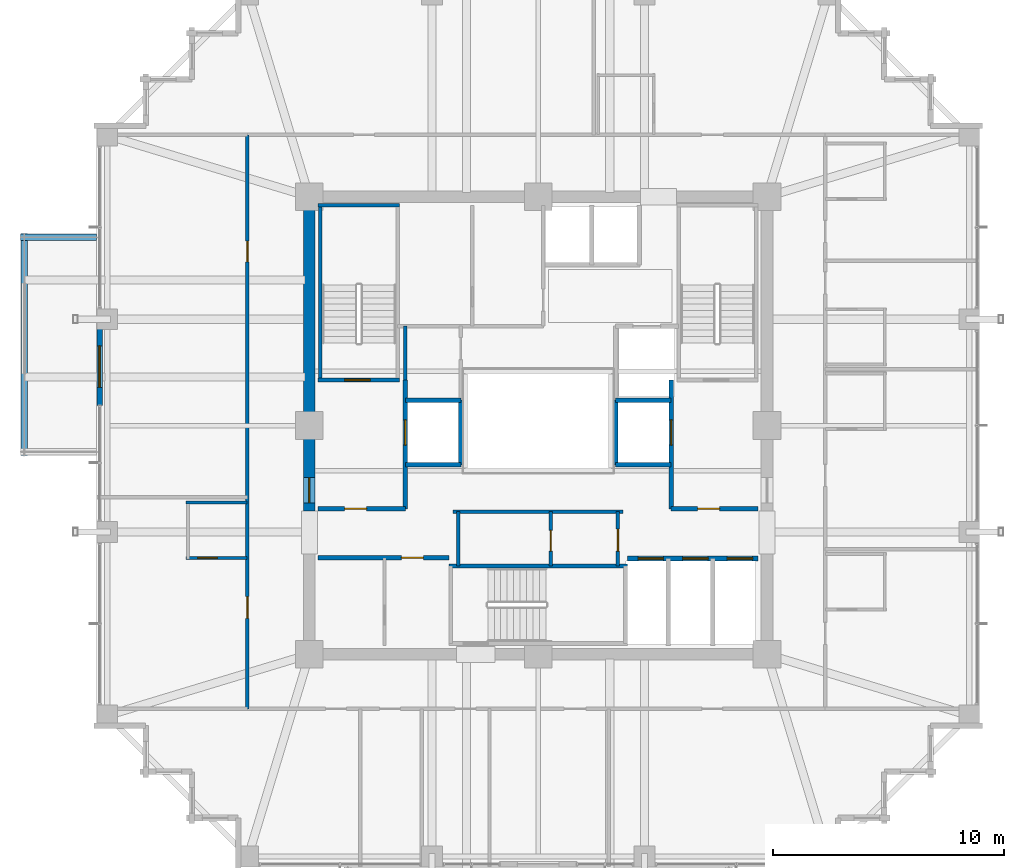
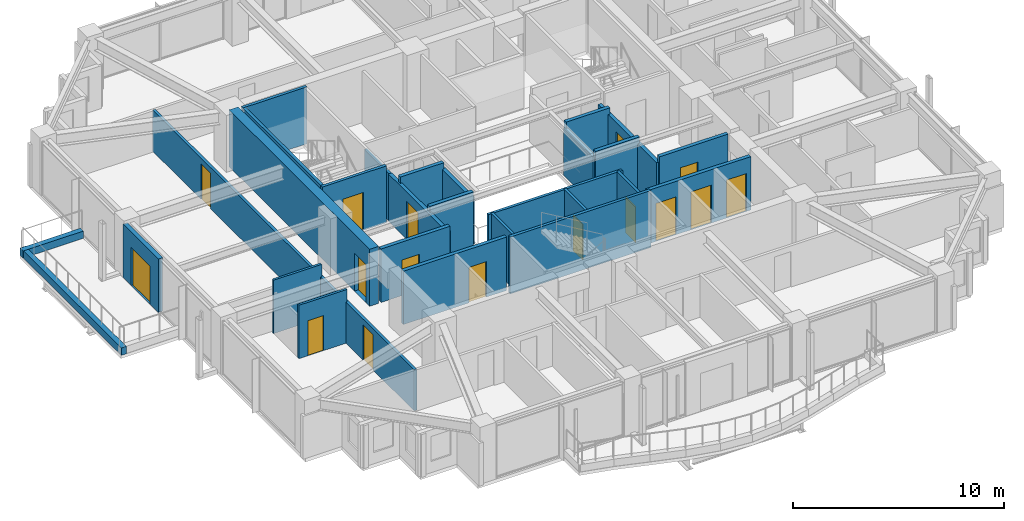
# One storey, part 28 of 34: 28 walls, 16 doors, 16 openings.
"""IFC4 building model written with IfcOpenShell, lengths in metres."""

from ifc_helpers import new_model, si_unit, direction, frame, frame_2d, origin, place, context, subcontext, project, spatial, rectangle, extrude, material, layer, layer_set, type_object, element, fill, save


model = new_model("IFC4")

# Units and contexts
model_context = context("Model", 3, precision=1e-05, world=origin(), true_north=direction((0.0, 1.0)))
body_context = subcontext(model_context, "Body", "Model", "MODEL_VIEW")
ifc_project = project(units=[si_unit("LENGTHUNIT", "METRE"), si_unit("AREAUNIT", "SQUARE_METRE"), si_unit("VOLUMEUNIT", "CUBIC_METRE"), si_unit("PLANEANGLEUNIT", "RADIAN"), si_unit("MASSUNIT", "GRAM", prefix="KILO")], contexts=[model_context])

# Site, building, storey
site_placement = place(None, origin())
site = spatial("IfcSite", under=ifc_project, at=site_placement, CompositionType="ELEMENT")
building_placement = place(site_placement, origin())
building = spatial("IfcBuilding", under=site, at=building_placement, Name="Kolvaren Belvedere", CompositionType="ELEMENT")
storey_placement = place(building_placement, frame((0.0, 0.0, 166.800048828125)))
storey = spatial("IfcBuildingStorey", under=building, at=storey_placement, Name="L48", CompositionType="ELEMENT", Elevation=166.800048828125)

# Wall, opening, door
ifc_material_1 = material(Name="Concrete C50/60", Category="concrete")
ifc_layer_1 = layer(ifc_material_1, 0.5)
ifc_layer_set_1 = layer_set([ifc_layer_1], Name="Concrete C50/60")
wall_type_1 = type_object("IfcWallType", Name="CW-CORE-500", PredefinedType="SHEAR", material=ifc_layer_set_1)
wall_1_placement = place(storey_placement, frame((-9.89990234375, -3.699951171875, 0.0), z_axis=(0.0, 0.0, 1.0), x_axis=(0.0, 1.0, 0.0)))
wall_1 = element("IfcWall", 1, at=wall_1_placement, inside=storey, type_object=wall_type_1, Name="L48 West Core Shear Wall 2", PredefinedType="SHEAR", context=body_context, shape_type="SweptSolid", body=[
    extrude(rectangle(XDim=13.349853515625, YDim=0.5, at=frame_2d((6.6748046875, 0.0))), origin(), (0.0, 0.0, 1.0), 3.300048828125),
])
opening_1_placement = place(wall_1_placement, frame((0.35009765625, 0.0, 0.0)))
opening_1 = element("IfcOpeningElement", 2, at=opening_1_placement, cuts=wall_1, Name="Opening D-FD90", PredefinedType="OPENING", context=body_context, shape_type="SweptSolid", body=[
    extrude(rectangle(XDim=1.10009765625, YDim=2.199951171875, at=frame_2d((0.550048828125, 1.10009765625))), frame((0.0, 0.260009765625, 0.0), z_axis=(0.0, -1.0, 0.0), x_axis=(1.0, 0.0, 0.0)), (0.0, 0.0, 1.0), 0.52001953125),
])
ifc_material_2 = material(Name="Painted hollow stainless steel", Category="steel")
door_type_1 = type_object("IfcDoorType", Name="DR-FD90-1100", OperationType="NOTDEFINED", PredefinedType="DOOR", material=ifc_material_2)
door_1_placement = place(opening_1_placement, origin())
door_1 = element("IfcDoor", 3, at=door_1_placement, inside=storey, type_object=door_type_1, Name="L48 West Firefighting Lobby Fire Door", OperationType="SINGLE_SWING_LEFT", OverallHeight=2.199951171875, OverallWidth=1.10009765625, PredefinedType="DOOR", context=body_context, shape_type="SweptSolid", body=[
    extrude(rectangle(XDim=1.10009765625, YDim=2.199951171875, at=frame_2d((0.550048828125, 1.10009765625))), frame((0.0, 0.02490234375, 0.0), z_axis=(0.0, -1.0, 0.0), x_axis=(1.0, 0.0, 0.0)), (0.0, 0.0, 1.0), 0.050048828125),
])
fill(opening_1, door_1)

ifc_material_3 = material(Name="Concrete C50/60", Category="concrete")
ifc_layer_2 = layer(ifc_material_3, 0.159912109375)
ifc_layer_set_2 = layer_set([ifc_layer_2], Name="Concrete C50/60")
wall_type_2 = type_object("IfcWallType", Name="CW-STAIR-160", PredefinedType="SHEAR", material=ifc_layer_set_2)
wall_2_placement = place(storey_placement, frame((-9.52001953125, 1.969970703125, 0.0), z_axis=(0.0, 0.0, 1.0), x_axis=(1.0, 0.0, 0.0)))
wall_2 = element("IfcWall", 4, at=wall_2_placement, inside=storey, type_object=wall_type_2, Name="L48 Stair ST-1 South Shear Wall", PredefinedType="SHEAR", context=body_context, shape_type="SweptSolid", body=[
    extrude(rectangle(XDim=3.52001953125, YDim=0.159912109375, at=frame_2d((1.760009765625, 0.0))), origin(), (0.0, 0.0, 1.0), 3.300048828125),
])
opening_2_placement = place(wall_2_placement, frame((1.14990234375, 0.0, 0.0)))
opening_2 = element("IfcOpeningElement", 5, at=opening_2_placement, cuts=wall_2, Name="Opening D-FD90", PredefinedType="OPENING", context=body_context, shape_type="SweptSolid", body=[
    extrude(rectangle(XDim=1.10009765625, YDim=2.199951171875, at=frame_2d((0.550048828125, 1.10009765625))), frame((0.0, 0.08984375, 0.0), z_axis=(0.0, -1.0, 0.0), x_axis=(1.0, 0.0, 0.0)), (0.0, 0.0, 1.0), 0.179931640625),
])
door_2_placement = place(opening_2_placement, origin())
door_2 = element("IfcDoor", 6, at=door_2_placement, inside=storey, type_object=door_type_1, Name="L48 Stair ST-1 Fire Door", OperationType="SINGLE_SWING_LEFT", OverallHeight=2.199951171875, OverallWidth=1.10009765625, PredefinedType="DOOR", context=body_context, shape_type="SweptSolid", body=[
    extrude(rectangle(XDim=1.10009765625, YDim=2.199951171875, at=frame_2d((0.550048828125, 1.10009765625))), frame((0.0, 0.02490234375, 0.0), z_axis=(0.0, -1.0, 0.0), x_axis=(1.0, 0.0, 0.0)), (0.0, 0.0, 1.0), 0.050048828125),
])
fill(opening_2, door_2)

# Walls
wall_3_placement = place(storey_placement, frame((-9.52001953125, 9.530029296875, 0.0), z_axis=(0.0, 0.0, 1.0), x_axis=(1.0, 0.0, 0.0)))
element("IfcWall", 7, at=wall_3_placement, inside=storey, type_object=wall_type_2, Name="L48 Stair ST-1 North Shear Wall", PredefinedType="SHEAR", context=body_context, shape_type="SweptSolid", body=[
    extrude(rectangle(XDim=3.52001953125, YDim=0.159912109375, at=frame_2d((1.760009765625, 0.0))), origin(), (0.0, 0.0, 1.0), 3.300048828125),
])
wall_4_placement = place(storey_placement, frame((-9.429931640625, 1.969970703125, 0.0), z_axis=(0.0, 0.0, 1.0), x_axis=(0.0, 1.0, 0.0)))
element("IfcWall", 8, at=wall_4_placement, inside=storey, type_object=wall_type_2, Name="L48 Stair ST-1 West Shear Wall", PredefinedType="SHEAR", context=body_context, shape_type="SweptSolid", body=[
    extrude(rectangle(XDim=7.56005859375, YDim=0.159912109375, at=frame_2d((3.780029296875, 0.0))), origin(), (0.0, 0.0, 1.0), 3.300048828125),
])
wall_5_placement = place(storey_placement, frame((-3.860107421875, -6.080078125, 0.0), z_axis=(0.0, 0.0, 1.0), x_axis=(1.0, 0.0, 0.0)))
element("IfcWall", 9, at=wall_5_placement, inside=storey, type_object=wall_type_2, Name="L48 Stair ST-3 North Shear Wall", PredefinedType="SHEAR", context=body_context, shape_type="SweptSolid", body=[
    extrude(rectangle(XDim=7.72021484375, YDim=0.159912109375, at=frame_2d((3.860107421875, 0.0))), origin(), (0.0, 0.0, 1.0), 3.300048828125),
])

# Wall, openings, doors
ifc_material_4 = material(Name="Gypsum fire-rated partition assembly", Category="gypsum")
ifc_layer_3 = layer(ifc_material_4, 0.14990234375)
ifc_layer_set_3 = layer_set([ifc_layer_3], Name="Gypsum fire-rated partition assembly")
wall_type_3 = type_object("IfcWallType", Name="WL-CORR-150", PredefinedType="PARTITIONING", material=ifc_layer_set_3)
wall_6_placement = place(storey_placement, frame((-12.580078125, -12.260009765625, 0.0), z_axis=(0.0, 0.0, 1.0), x_axis=(0.0, 1.0, 0.0)))
wall_6 = element("IfcWall", 10, at=wall_6_placement, inside=storey, type_object=wall_type_3, Name="L48 West Corridor Wall", PredefinedType="PARTITIONING", context=body_context, shape_type="SweptSolid", body=[
    extrude(rectangle(XDim=24.840087890625, YDim=0.14990234375, at=frame_2d((12.419921875, 0.0))), origin(), (0.0, 0.0, 1.0), 2.388916015625),
])
opening_3_placement = place(wall_6_placement, frame((3.9130859375, 0.0, 0.0)))
opening_3 = element("IfcOpeningElement", 11, at=opening_3_placement, cuts=wall_6, Name="Opening D-FD60", PredefinedType="OPENING", context=body_context, shape_type="SweptSolid", body=[
    extrude(rectangle(XDim=0.949951171875, YDim=2.06005859375, at=frame_2d((0.47509765625, 1.030029296875))), frame((0.0, 0.0849609375, 0.0), z_axis=(0.0, -1.0, 0.0), x_axis=(1.0, 0.0, 0.0)), (0.0, 0.0, 1.0), 0.169921875),
])
opening_4_placement = place(wall_6_placement, frame((19.344970703125, 0.0, 0.0)))
opening_4 = element("IfcOpeningElement", 12, at=opening_4_placement, cuts=wall_6, Name="Opening D-INT90", PredefinedType="OPENING", context=body_context, shape_type="SweptSolid", body=[
    extrude(rectangle(XDim=0.89990234375, YDim=2.06005859375, at=frame_2d((0.449951171875, 1.030029296875))), frame((0.0, 0.0849609375, 0.0), z_axis=(0.0, -1.0, 0.0), x_axis=(1.0, 0.0, 0.0)), (0.0, 0.0, 1.0), 0.169921875),
])
ifc_material_5 = material(Name="Acoustic white-oak fire door leaf", Category="timber")
door_type_2 = type_object("IfcDoorType", Name="DR-FD60-950", OperationType="NOTDEFINED", PredefinedType="DOOR", material=ifc_material_5)
door_3_placement = place(opening_3_placement, origin())
door_3 = element("IfcDoor", 13, at=door_3_placement, inside=storey, type_object=door_type_2, Name="L48 Botanical Hospitality Suite 4808 Entry Door", OperationType="SINGLE_SWING_RIGHT", OverallHeight=2.06005859375, OverallWidth=0.949951171875, PredefinedType="DOOR", context=body_context, shape_type="SweptSolid", body=[
    extrude(rectangle(XDim=0.949951171875, YDim=2.06005859375, at=frame_2d((0.47509765625, 1.030029296875))), frame((0.0, 0.02490234375, 0.0), z_axis=(0.0, -1.0, 0.0), x_axis=(1.0, 0.0, 0.0)), (0.0, 0.0, 1.0), 0.050048828125),
])
fill(opening_3, door_3)
ifc_material_6 = material(Name="Stained Pacific white oak", Category="timber")
door_type_3 = type_object("IfcDoorType", Name="DR-INT-900", OperationType="NOTDEFINED", PredefinedType="DOOR", material=ifc_material_6)
door_4_placement = place(opening_4_placement, origin())
door_4 = element("IfcDoor", 14, at=door_4_placement, inside=storey, type_object=door_type_3, Name="L48 Lounge 4809 Door", OperationType="SINGLE_SWING_LEFT", OverallHeight=2.06005859375, OverallWidth=0.89990234375, PredefinedType="DOOR", context=body_context, shape_type="SweptSolid", body=[
    extrude(rectangle(XDim=0.89990234375, YDim=2.06005859375, at=frame_2d((0.449951171875, 1.030029296875))), frame((0.0, 0.02490234375, 0.0), z_axis=(0.0, -1.0, 0.0), x_axis=(1.0, 0.0, 0.0)), (0.0, 0.0, 1.0), 0.050048828125),
])
fill(opening_4, door_4)

# Wall, opening, door
ifc_material_7 = material(Name="Insulated pale-metal facade wall assembly", Category="aluminium")
ifc_layer_4 = layer(ifc_material_7, 0.239990234375)
ifc_layer_set_4 = layer_set([ifc_layer_4], Name="Insulated pale-metal facade wall assembly")
wall_type_4 = type_object("IfcWallType", Name="WL-EXT-240", PredefinedType="STANDARD", material=ifc_layer_set_4)
wall_7_placement = place(storey_placement, frame((-18.97998046875, 0.8701171875, 0.0), z_axis=(0.0, 0.0, 1.0), x_axis=(0.0, 1.0, 0.0)))
wall_7 = element("IfcWall", 15, at=wall_7_placement, inside=storey, type_object=wall_type_4, Name="L48 West Terrace Portal Wall", PredefinedType="STANDARD", context=body_context, shape_type="SweptSolid", body=[
    extrude(rectangle(XDim=3.35986328125, YDim=0.239990234375, at=frame_2d((1.679931640625, 0.0))), origin(), (0.0, 0.0, 1.0), 3.099853515625),
])
opening_5_placement = place(wall_7_placement, frame((0.780029296875, 0.0, 0.0)))
opening_5 = element("IfcOpeningElement", 16, at=opening_5_placement, cuts=wall_7, Name="Opening DB-1800", PredefinedType="OPENING", context=body_context, shape_type="SweptSolid", body=[
    extrude(rectangle(XDim=1.800048828125, YDim=2.199951171875, at=frame_2d((0.89990234375, 1.10009765625))), frame((0.0, 0.1298828125, 0.0), z_axis=(0.0, -1.0, 0.0), x_axis=(1.0, 0.0, 0.0)), (0.0, 0.0, 1.0), 0.260009765625),
])
ifc_material_8 = material(Name="Thermally broken pale-metal aluminium & low-iron glass", Category="aluminium")
door_type_4 = type_object("IfcDoorType", Name="DR-BAL-1800", OperationType="DOUBLE_DOOR_SLIDING", PredefinedType="DOOR", material=ifc_material_8)
door_5_placement = place(opening_5_placement, origin())
door_5 = element("IfcDoor", 17, at=door_5_placement, inside=storey, type_object=door_type_4, Name="L48 West Planted Terrace Sliding Door", OperationType="DOUBLE_DOOR_SLIDING", OverallHeight=2.199951171875, OverallWidth=1.800048828125, PredefinedType="DOOR", context=body_context, shape_type="SweptSolid", body=[
    extrude(rectangle(XDim=1.800048828125, YDim=2.199951171875, at=frame_2d((0.89990234375, 1.10009765625))), frame((0.0, 0.02490234375, 0.0), z_axis=(0.0, -1.0, 0.0), x_axis=(1.0, 0.0, 0.0)), (0.0, 0.0, 1.0), 0.050048828125),
])
fill(opening_5, door_5)

# Wall
ifc_material_9 = material(Name="Gypsum acoustic partition assembly", Category="gypsum")
ifc_layer_5 = layer(ifc_material_9, 0.14990234375)
ifc_layer_set_5 = layer_set([ifc_layer_5], Name="Gypsum acoustic partition assembly")
wall_type_5 = type_object("IfcWallType", Name="WL-PART-150", PredefinedType="PARTITIONING", material=ifc_layer_set_5)
wall_8_placement = place(storey_placement, frame((-3.679931640625, -3.719970703125, 0.0), z_axis=(0.0, 0.0, 1.0), x_axis=(1.0, 0.0, 0.0)))
element("IfcWall", 18, at=wall_8_placement, inside=storey, type_object=wall_type_5, Name="L48 South Core Service North Wall", PredefinedType="PARTITIONING", context=body_context, shape_type="SweptSolid", body=[
    extrude(rectangle(XDim=7.35986328125, YDim=0.14990234375, at=frame_2d((3.679931640625, 0.0))), origin(), (0.0, 0.0, 1.0), 3.099853515625),
])

# Wall, opening, door
wall_9_placement = place(storey_placement, frame((3.449951171875, -6.080078125, 0.0), z_axis=(0.0, 0.0, 1.0), x_axis=(0.0, 1.0, 0.0)))
wall_9 = element("IfcWall", 19, at=wall_9_placement, inside=storey, type_object=wall_type_5, Name="L48 South Core Service East Wall", PredefinedType="PARTITIONING", context=body_context, shape_type="SweptSolid", body=[
    extrude(rectangle(XDim=2.360107421875, YDim=0.14990234375, at=frame_2d((1.18017578125, 0.0))), origin(), (0.0, 0.0, 1.0), 3.099853515625),
])
opening_6_placement = place(wall_9_placement, frame((0.64990234375, 0.0, 0.0)))
opening_6 = element("IfcOpeningElement", 20, at=opening_6_placement, cuts=wall_9, Name="Opening D-FD60", PredefinedType="OPENING", context=body_context, shape_type="SweptSolid", body=[
    extrude(rectangle(XDim=0.949951171875, YDim=2.06005859375, at=frame_2d((0.47509765625, 1.030029296875))), frame((0.0, 0.0849609375, 0.0), z_axis=(0.0, -1.0, 0.0), x_axis=(1.0, 0.0, 0.0)), (0.0, 0.0, 1.0), 0.169921875),
])
door_6_placement = place(opening_6_placement, origin())
door_6 = element("IfcDoor", 21, at=door_6_placement, inside=storey, type_object=door_type_2, Name="L48 Core Service Room Door", OperationType="SINGLE_SWING_LEFT", OverallHeight=2.06005859375, OverallWidth=0.949951171875, PredefinedType="DOOR", context=body_context, shape_type="SweptSolid", body=[
    extrude(rectangle(XDim=0.949951171875, YDim=2.06005859375, at=frame_2d((0.47509765625, 1.030029296875))), frame((0.0, 0.02490234375, 0.0), z_axis=(0.0, -1.0, 0.0), x_axis=(1.0, 0.0, 0.0)), (0.0, 0.0, 1.0), 0.050048828125),
])
fill(opening_6, door_6)

# Wall
wall_10_placement = place(storey_placement, frame((-3.449951171875, -6.080078125, 0.0), z_axis=(0.0, 0.0, 1.0), x_axis=(0.0, 1.0, 0.0)))
element("IfcWall", 22, at=wall_10_placement, inside=storey, type_object=wall_type_5, Name="L48 South Core Service West Wall", PredefinedType="PARTITIONING", context=body_context, shape_type="SweptSolid", body=[
    extrude(rectangle(XDim=2.360107421875, YDim=0.14990234375, at=frame_2d((1.18017578125, 0.0))), origin(), (0.0, 0.0, 1.0), 3.099853515625),
])

# Wall, opening, door
wall_11_placement = place(storey_placement, frame((0.550048828125, -6.080078125, 0.0), z_axis=(0.0, 0.0, 1.0), x_axis=(0.0, 1.0, 0.0)))
wall_11 = element("IfcWall", 23, at=wall_11_placement, inside=storey, type_object=wall_type_5, Name="L48 Core Service Divider", PredefinedType="PARTITIONING", context=body_context, shape_type="SweptSolid", body=[
    extrude(rectangle(XDim=2.360107421875, YDim=0.14990234375, at=frame_2d((1.18017578125, 0.0))), origin(), (0.0, 0.0, 1.0), 3.099853515625),
])
opening_7_placement = place(wall_11_placement, frame((0.64990234375, 0.0, 0.0)))
opening_7 = element("IfcOpeningElement", 24, at=opening_7_placement, cuts=wall_11, Name="Opening D-INT90", PredefinedType="OPENING", context=body_context, shape_type="SweptSolid", body=[
    extrude(rectangle(XDim=0.89990234375, YDim=2.06005859375, at=frame_2d((0.449951171875, 1.030029296875))), frame((0.0, 0.0849609375, 0.0), z_axis=(0.0, -1.0, 0.0), x_axis=(1.0, 0.0, 0.0)), (0.0, 0.0, 1.0), 0.169921875),
])
door_7_placement = place(opening_7_placement, origin())
door_7 = element("IfcDoor", 25, at=door_7_placement, inside=storey, type_object=door_type_3, Name="L48 BMS Inner Door", OperationType="SINGLE_SWING_LEFT", OverallHeight=2.06005859375, OverallWidth=0.89990234375, PredefinedType="DOOR", context=body_context, shape_type="SweptSolid", body=[
    extrude(rectangle(XDim=0.89990234375, YDim=2.06005859375, at=frame_2d((0.449951171875, 1.030029296875))), frame((0.0, 0.02490234375, 0.0), z_axis=(0.0, -1.0, 0.0), x_axis=(1.0, 0.0, 0.0)), (0.0, 0.0, 1.0), 0.050048828125),
])
fill(opening_7, door_7)

# Walls
wall_12_placement = place(storey_placement, frame((-5.75, 1.969970703125, 0.0), z_axis=(0.0, 0.0, 1.0), x_axis=(0.0, 1.0, 0.0)))
element("IfcWall", 26, at=wall_12_placement, inside=storey, type_object=wall_type_5, Name="L48 NW Service Room West Wall", PredefinedType="PARTITIONING", context=body_context, shape_type="SweptSolid", body=[
    extrude(rectangle(XDim=2.330078125, YDim=0.14990234375, at=frame_2d((1.1650390625, 0.0))), origin(), (0.0, 0.0, 1.0), 2.73486328125),
])
ifc_material_10 = material(Name="Precast concrete C40/50", Category="concrete")
ifc_layer_6 = layer(ifc_material_10, 0.300048828125)
ifc_layer_set_6 = layer_set([ifc_layer_6], Name="Precast concrete C40/50")
wall_type_6 = type_object("IfcWallType", Name="WL-PLANTER-300", PredefinedType="PARAPET", material=ifc_layer_set_6)
wall_13_placement = place(storey_placement, frame((-19.10009765625, 8.139892578125, -0.02001953125), z_axis=(0.0, 0.0, 1.0), x_axis=(-1.0, 0.0, 0.0)))
element("IfcWall", 27, at=wall_13_placement, inside=storey, type_object=wall_type_6, Name="L48 Precast Structural Planter Wall SPIRAL-07-W-3", PredefinedType="PARAPET", context=body_context, shape_type="SweptSolid", body=[
    extrude(rectangle(XDim=3.2998046875, YDim=0.280029296875, at=frame_2d((1.64990234375, 0.0))), origin(), (0.0, 0.0, 1.0), 0.419921875),
])
wall_14_placement = place(storey_placement, frame((-22.239990234375, 8.300048828125, -0.02001953125), z_axis=(0.0, 0.0, 1.0), x_axis=(0.0, -1.0, 0.0)))
element("IfcWall", 28, at=wall_14_placement, inside=storey, type_object=wall_type_6, Name="L48 Precast Structural Planter Wall SPIRAL-07-W-4", PredefinedType="PARAPET", context=body_context, shape_type="SweptSolid", body=[
    extrude(rectangle(XDim=9.60009765625, YDim=0.280029296875, at=frame_2d((4.800048828125, 0.0))), origin(), (0.0, 0.0, 1.0), 0.419921875),
])

# Wall, opening, door
ifc_material_11 = material(Name="Concrete C50/60", Category="concrete")
ifc_layer_7 = layer(ifc_material_11, 0.199951171875)
ifc_layer_set_7 = layer_set([ifc_layer_7], Name="Concrete C50/60")
wall_type_7 = type_object("IfcWallType", Name="WL-SHAFT-200", PredefinedType="SOLIDWALL", material=ifc_layer_set_7)
wall_15_placement = place(storey_placement, frame((-9.52001953125, -3.60009765625, 0.0), z_axis=(0.0, 0.0, 1.0), x_axis=(1.0, 0.0, 0.0)))
wall_15 = element("IfcWall", 29, at=wall_15_placement, inside=storey, type_object=wall_type_7, Name="L48 West FSAE Lobby South Wall", PredefinedType="SOLIDWALL", context=body_context, shape_type="SweptSolid", body=[
    extrude(rectangle(XDim=3.77001953125, YDim=0.199951171875, at=frame_2d((1.885009765625, 0.0))), origin(), (0.0, 0.0, 1.0), 3.099853515625),
])
opening_8_placement = place(wall_15_placement, frame((1.14990234375, 0.0, 0.0)))
opening_8 = element("IfcOpeningElement", 30, at=opening_8_placement, cuts=wall_15, Name="Opening D-FD60", PredefinedType="OPENING", context=body_context, shape_type="SweptSolid", body=[
    extrude(rectangle(XDim=0.949951171875, YDim=2.06005859375, at=frame_2d((0.47509765625, 1.030029296875))), frame((0.0, 0.10986328125, 0.0), z_axis=(0.0, -1.0, 0.0), x_axis=(1.0, 0.0, 0.0)), (0.0, 0.0, 1.0), 0.219970703125),
])
door_8_placement = place(opening_8_placement, origin())
door_8 = element("IfcDoor", 31, at=door_8_placement, inside=storey, type_object=door_type_2, Name="L48 SW Lobby Fire Door", OperationType="SINGLE_SWING_LEFT", OverallHeight=2.06005859375, OverallWidth=0.949951171875, PredefinedType="DOOR", context=body_context, shape_type="SweptSolid", body=[
    extrude(rectangle(XDim=0.949951171875, YDim=2.06005859375, at=frame_2d((0.47509765625, 1.030029296875))), frame((0.0, 0.02490234375, 0.0), z_axis=(0.0, -1.0, 0.0), x_axis=(1.0, 0.0, 0.0)), (0.0, 0.0, 1.0), 0.050048828125),
])
fill(opening_8, door_8)

wall_16_placement = place(storey_placement, frame((-5.75, -3.60009765625, 0.0), z_axis=(0.0, 0.0, 1.0), x_axis=(0.0, 1.0, 0.0)))
wall_16 = element("IfcWall", 32, at=wall_16_placement, inside=storey, type_object=wall_type_7, Name="L48 FSAE FS1 Landing Wall", PredefinedType="SOLIDWALL", context=body_context, shape_type="SweptSolid", body=[
    extrude(rectangle(XDim=5.570068359375, YDim=0.199951171875, at=frame_2d((2.78515625, 0.0))), origin(), (0.0, 0.0, 1.0), 2.73486328125),
])
opening_9_placement = place(wall_16_placement, frame((2.75, 0.0, 0.0)))
opening_9 = element("IfcOpeningElement", 33, at=opening_9_placement, cuts=wall_16, Name="Opening LD-11", PredefinedType="OPENING", context=body_context, shape_type="SweptSolid", body=[
    extrude(rectangle(XDim=1.10009765625, YDim=2.199951171875, at=frame_2d((0.550048828125, 1.10009765625))), frame((0.0, 0.10986328125, 0.0), z_axis=(0.0, -1.0, 0.0), x_axis=(1.0, 0.0, 0.0)), (0.0, 0.0, 1.0), 0.219970703125),
])
ifc_material_12 = material(Name="Brushed stainless steel", Category="steel")
door_type_5 = type_object("IfcDoorType", Name="DR-LIFT-1100", OperationType="DOUBLE_DOOR_SLIDING", PredefinedType="DOOR", material=ifc_material_12)
door_9_placement = place(opening_9_placement, origin())
door_9 = element("IfcDoor", 34, at=door_9_placement, inside=storey, type_object=door_type_5, Name="L48 Firefighting Lift FS1 Landing Door", OperationType="DOUBLE_DOOR_SLIDING", OverallHeight=2.199951171875, OverallWidth=1.10009765625, PredefinedType="DOOR", context=body_context, shape_type="SweptSolid", body=[
    extrude(rectangle(XDim=1.10009765625, YDim=2.199951171875, at=frame_2d((0.550048828125, 1.10009765625))), frame((0.0, 0.02490234375, 0.0), z_axis=(0.0, -1.0, 0.0), x_axis=(1.0, 0.0, 0.0)), (0.0, 0.0, 1.0), 0.050048828125),
])
fill(opening_9, door_9)

# Walls
wall_17_placement = place(storey_placement, frame((-3.35009765625, -1.699951171875, 0.0), z_axis=(0.0, 0.0, 1.0), x_axis=(0.0, 1.0, 0.0)))
element("IfcWall", 35, at=wall_17_placement, inside=storey, type_object=wall_type_7, Name="L48 FSAE FS1 Back Wall", PredefinedType="SOLIDWALL", context=body_context, shape_type="SweptSolid", body=[
    extrude(rectangle(XDim=2.800048828125, YDim=0.199951171875, at=frame_2d((1.39990234375, 0.0))), origin(), (0.0, 0.0, 1.0), 2.73486328125),
])
for number, where, z_axis, x_axis, name in (
    (36, (-5.75, -1.699951171875, 0.0), (0.0, 0.0, 1.0), (1.0, 0.0, 0.0), "L48 FSAE FS1 South Wall"),
    (37, (-5.75, 1.10009765625, 0.0), (0.0, 0.0, 1.0), (1.0, 0.0, 0.0), "L48 FSAE FS1 North Wall"),
):
    element("IfcWall", number, at=place(storey_placement, frame(where, z_axis=z_axis, x_axis=x_axis)), inside=storey, type_object=wall_type_7, Name=name, PredefinedType="SOLIDWALL", context=body_context, shape_type="SweptSolid", body=[
        extrude(rectangle(XDim=2.39990234375, YDim=0.199951171875, at=frame_2d((1.199951171875, 0.0))), origin(), (0.0, 0.0, 1.0), 3.099853515625),
    ])

# Wall, opening, door
wall_18_placement = place(storey_placement, frame((5.75, -3.60009765625, 0.0), z_axis=(0.0, 0.0, 1.0), x_axis=(1.0, 0.0, 0.0)))
wall_18 = element("IfcWall", 38, at=wall_18_placement, inside=storey, type_object=wall_type_7, Name="L48 East FSAE Lobby South Wall", PredefinedType="SOLIDWALL", context=body_context, shape_type="SweptSolid", body=[
    extrude(rectangle(XDim=3.77001953125, YDim=0.199951171875, at=frame_2d((1.885009765625, 0.0))), origin(), (0.0, 0.0, 1.0), 3.099853515625),
])
opening_10_placement = place(wall_18_placement, frame((1.14990234375, 0.0, 0.0)))
opening_10 = element("IfcOpeningElement", 39, at=opening_10_placement, cuts=wall_18, Name="Opening D-FD60", PredefinedType="OPENING", context=body_context, shape_type="SweptSolid", body=[
    extrude(rectangle(XDim=0.949951171875, YDim=2.06005859375, at=frame_2d((0.47509765625, 1.030029296875))), frame((0.0, 0.10986328125, 0.0), z_axis=(0.0, -1.0, 0.0), x_axis=(1.0, 0.0, 0.0)), (0.0, 0.0, 1.0), 0.219970703125),
])
door_10_placement = place(opening_10_placement, origin())
door_10 = element("IfcDoor", 40, at=door_10_placement, inside=storey, type_object=door_type_2, Name="L48 SE Lift Lobby Fire Door", OperationType="SINGLE_SWING_RIGHT", OverallHeight=2.06005859375, OverallWidth=0.949951171875, PredefinedType="DOOR", context=body_context, shape_type="SweptSolid", body=[
    extrude(rectangle(XDim=0.949951171875, YDim=2.06005859375, at=frame_2d((0.47509765625, 1.030029296875))), frame((0.0, 0.02490234375, 0.0), z_axis=(0.0, -1.0, 0.0), x_axis=(1.0, 0.0, 0.0)), (0.0, 0.0, 1.0), 0.050048828125),
])
fill(opening_10, door_10)

wall_19_placement = place(storey_placement, frame((5.75, -3.60009765625, 0.0), z_axis=(0.0, 0.0, 1.0), x_axis=(0.0, 1.0, 0.0)))
wall_19 = element("IfcWall", 41, at=wall_19_placement, inside=storey, type_object=wall_type_7, Name="L48 FSAE FS2 Landing Wall", PredefinedType="SOLIDWALL", context=body_context, shape_type="SweptSolid", body=[
    extrude(rectangle(XDim=5.570068359375, YDim=0.199951171875, at=frame_2d((2.78515625, 0.0))), origin(), (0.0, 0.0, 1.0), 2.73486328125),
])
opening_11_placement = place(wall_19_placement, frame((2.75, 0.0, 0.0)))
opening_11 = element("IfcOpeningElement", 42, at=opening_11_placement, cuts=wall_19, Name="Opening LD-11", PredefinedType="OPENING", context=body_context, shape_type="SweptSolid", body=[
    extrude(rectangle(XDim=1.10009765625, YDim=2.199951171875, at=frame_2d((0.550048828125, 1.10009765625))), frame((0.0, 0.10986328125, 0.0), z_axis=(0.0, -1.0, 0.0), x_axis=(1.0, 0.0, 0.0)), (0.0, 0.0, 1.0), 0.219970703125),
])
door_11_placement = place(opening_11_placement, origin())
door_11 = element("IfcDoor", 43, at=door_11_placement, inside=storey, type_object=door_type_5, Name="L48 Firefighting Lift FS2 Landing Door", OperationType="DOUBLE_DOOR_SLIDING", OverallHeight=2.199951171875, OverallWidth=1.10009765625, PredefinedType="DOOR", context=body_context, shape_type="SweptSolid", body=[
    extrude(rectangle(XDim=1.10009765625, YDim=2.199951171875, at=frame_2d((0.550048828125, 1.10009765625))), frame((0.0, 0.02490234375, 0.0), z_axis=(0.0, -1.0, 0.0), x_axis=(1.0, 0.0, 0.0)), (0.0, 0.0, 1.0), 0.050048828125),
])
fill(opening_11, door_11)

# Walls
wall_20_placement = place(storey_placement, frame((3.35009765625, -1.699951171875, 0.0), z_axis=(0.0, 0.0, 1.0), x_axis=(0.0, 1.0, 0.0)))
element("IfcWall", 44, at=wall_20_placement, inside=storey, type_object=wall_type_7, Name="L48 FSAE FS2 Back Wall", PredefinedType="SOLIDWALL", context=body_context, shape_type="SweptSolid", body=[
    extrude(rectangle(XDim=2.800048828125, YDim=0.199951171875, at=frame_2d((1.39990234375, 0.0))), origin(), (0.0, 0.0, 1.0), 2.73486328125),
])
for number, where, z_axis, x_axis, name in (
    (45, (3.35009765625, -1.699951171875, 0.0), (0.0, 0.0, 1.0), (1.0, 0.0, 0.0), "L48 FSAE FS2 South Wall"),
    (46, (3.35009765625, 1.10009765625, 0.0), (0.0, 0.0, 1.0), (1.0, 0.0, 0.0), "L48 FSAE FS2 North Wall"),
):
    element("IfcWall", number, at=place(storey_placement, frame(where, z_axis=z_axis, x_axis=x_axis)), inside=storey, type_object=wall_type_7, Name=name, PredefinedType="SOLIDWALL", context=body_context, shape_type="SweptSolid", body=[
        extrude(rectangle(XDim=2.39990234375, YDim=0.199951171875, at=frame_2d((1.199951171875, 0.0))), origin(), (0.0, 0.0, 1.0), 3.099853515625),
    ])

# Wall, opening, door
wall_21_placement = place(storey_placement, frame((-9.52001953125, -5.719970703125, 0.0), z_axis=(0.0, 0.0, 1.0), x_axis=(1.0, 0.0, 0.0)))
wall_21 = element("IfcWall", 47, at=wall_21_placement, inside=storey, type_object=wall_type_7, Name="L48 Reclaimed Mid Room North Wall", PredefinedType="SOLIDWALL", context=body_context, shape_type="SweptSolid", body=[
    extrude(rectangle(XDim=5.659912109375, YDim=0.199951171875, at=frame_2d((2.830078125, 0.0))), origin(), (0.0, 0.0, 1.0), 3.099853515625),
])
opening_12_placement = place(wall_21_placement, frame((3.60009765625, 0.0, 0.0)))
opening_12 = element("IfcOpeningElement", 48, at=opening_12_placement, cuts=wall_21, Name="Opening D-FD60", PredefinedType="OPENING", context=body_context, shape_type="SweptSolid", body=[
    extrude(rectangle(XDim=0.949951171875, YDim=2.06005859375, at=frame_2d((0.47509765625, 1.030029296875))), frame((0.0, 0.10986328125, 0.0), z_axis=(0.0, -1.0, 0.0), x_axis=(1.0, 0.0, 0.0)), (0.0, 0.0, 1.0), 0.219970703125),
])
door_12_placement = place(opening_12_placement, origin())
door_12 = element("IfcDoor", 49, at=door_12_placement, inside=storey, type_object=door_type_2, Name="L48 Study Entry Door", OperationType="SINGLE_SWING_LEFT", OverallHeight=2.06005859375, OverallWidth=0.949951171875, PredefinedType="DOOR", context=body_context, shape_type="SweptSolid", body=[
    extrude(rectangle(XDim=0.949951171875, YDim=2.06005859375, at=frame_2d((0.47509765625, 1.030029296875))), frame((0.0, 0.02490234375, 0.0), z_axis=(0.0, -1.0, 0.0), x_axis=(1.0, 0.0, 0.0)), (0.0, 0.0, 1.0), 0.050048828125),
])
fill(opening_12, door_12)

# Wall, openings, doors
wall_22_placement = place(storey_placement, frame((3.860107421875, -5.75, 0.0), z_axis=(0.0, 0.0, 1.0), x_axis=(1.0, 0.0, 0.0)))
wall_22 = element("IfcWall", 50, at=wall_22_placement, inside=storey, type_object=wall_type_7, Name="L48 High-Rise Lift Bank Front Wall", PredefinedType="SOLIDWALL", context=body_context, shape_type="SweptSolid", body=[
    extrude(rectangle(XDim=5.659912109375, YDim=0.199951171875, at=frame_2d((2.830078125, 0.0))), origin(), (0.0, 0.0, 1.0), 3.099853515625),
])
opening_13_placement = place(wall_22_placement, frame((0.4599609375, 0.0, 0.0)))
opening_13 = element("IfcOpeningElement", 51, at=opening_13_placement, cuts=wall_22, Name="Opening LD-11", PredefinedType="OPENING", context=body_context, shape_type="SweptSolid", body=[
    extrude(rectangle(XDim=1.10009765625, YDim=2.199951171875, at=frame_2d((0.550048828125, 1.10009765625))), frame((0.0, 0.10986328125, 0.0), z_axis=(0.0, -1.0, 0.0), x_axis=(1.0, 0.0, 0.0)), (0.0, 0.0, 1.0), 0.219970703125),
])
opening_14_placement = place(wall_22_placement, frame((2.389892578125, 0.0, 0.0)))
opening_14 = element("IfcOpeningElement", 52, at=opening_14_placement, cuts=wall_22, Name="Opening LD-11", PredefinedType="OPENING", context=body_context, shape_type="SweptSolid", body=[
    extrude(rectangle(XDim=1.10009765625, YDim=2.199951171875, at=frame_2d((0.550048828125, 1.10009765625))), frame((0.0, 0.10986328125, 0.0), z_axis=(0.0, -1.0, 0.0), x_axis=(1.0, 0.0, 0.0)), (0.0, 0.0, 1.0), 0.219970703125),
])
opening_15_placement = place(wall_22_placement, frame((4.320068359375, 0.0, 0.0)))
opening_15 = element("IfcOpeningElement", 53, at=opening_15_placement, cuts=wall_22, Name="Opening LD-11", PredefinedType="OPENING", context=body_context, shape_type="SweptSolid", body=[
    extrude(rectangle(XDim=1.10009765625, YDim=2.199951171875, at=frame_2d((0.550048828125, 1.10009765625))), frame((0.0, 0.10986328125, 0.0), z_axis=(0.0, -1.0, 0.0), x_axis=(1.0, 0.0, 0.0)), (0.0, 0.0, 1.0), 0.219970703125),
])
door_13_placement = place(opening_13_placement, origin())
door_13 = element("IfcDoor", 54, at=door_13_placement, inside=storey, type_object=door_type_5, Name="L48 Passenger Lift P7 Landing Door", OperationType="DOUBLE_DOOR_SLIDING", OverallHeight=2.199951171875, OverallWidth=1.10009765625, PredefinedType="DOOR", context=body_context, shape_type="SweptSolid", body=[
    extrude(rectangle(XDim=1.10009765625, YDim=2.199951171875, at=frame_2d((0.550048828125, 1.10009765625))), frame((0.0, 0.02490234375, 0.0), z_axis=(0.0, -1.0, 0.0), x_axis=(1.0, 0.0, 0.0)), (0.0, 0.0, 1.0), 0.050048828125),
])
fill(opening_13, door_13)
door_14_placement = place(opening_14_placement, origin())
door_14 = element("IfcDoor", 55, at=door_14_placement, inside=storey, type_object=door_type_5, Name="L48 Passenger Lift P8 Landing Door", OperationType="DOUBLE_DOOR_SLIDING", OverallHeight=2.199951171875, OverallWidth=1.10009765625, PredefinedType="DOOR", context=body_context, shape_type="SweptSolid", body=[
    extrude(rectangle(XDim=1.10009765625, YDim=2.199951171875, at=frame_2d((0.550048828125, 1.10009765625))), frame((0.0, 0.02490234375, 0.0), z_axis=(0.0, -1.0, 0.0), x_axis=(1.0, 0.0, 0.0)), (0.0, 0.0, 1.0), 0.050048828125),
])
fill(opening_14, door_14)
door_15_placement = place(opening_15_placement, origin())
door_15 = element("IfcDoor", 56, at=door_15_placement, inside=storey, type_object=door_type_5, Name="L48 Passenger Lift P9 Landing Door", OperationType="DOUBLE_DOOR_SLIDING", OverallHeight=2.199951171875, OverallWidth=1.10009765625, PredefinedType="DOOR", context=body_context, shape_type="SweptSolid", body=[
    extrude(rectangle(XDim=1.10009765625, YDim=2.199951171875, at=frame_2d((0.550048828125, 1.10009765625))), frame((0.0, 0.02490234375, 0.0), z_axis=(0.0, -1.0, 0.0), x_axis=(1.0, 0.0, 0.0)), (0.0, 0.0, 1.0), 0.050048828125),
])
fill(opening_15, door_15)

# Wall, opening, door
ifc_material_13 = material(Name="Moisture-resistant gypsum partition", Category="gypsum")
ifc_layer_8 = layer(ifc_material_13, 0.125)
ifc_layer_set_8 = layer_set([ifc_layer_8], Name="Moisture-resistant gypsum partition")
wall_type_8 = type_object("IfcWallType", Name="WL-WET-125", PredefinedType="PARTITIONING", material=ifc_layer_set_8)
wall_23_placement = place(storey_placement, frame((-15.235107421875, -5.72412109375, 0.0), z_axis=(0.0, 0.0, 1.0), x_axis=(1.0, 0.0, 0.0)))
wall_23 = element("IfcWall", 57, at=wall_23_placement, inside=storey, type_object=wall_type_8, Name="L48 Bathroom Partition PW-L48-BTH-8-N", PredefinedType="PARTITIONING", context=body_context, shape_type="SweptSolid", body=[
    extrude(rectangle(XDim=2.64013671875, YDim=0.125, at=frame_2d((1.320068359375, 0.0))), origin(), (0.0, 0.0, 1.0), 3.099853515625),
])
opening_16_placement = place(wall_23_placement, frame((0.5, 0.0, 0.0)))
opening_16 = element("IfcOpeningElement", 58, at=opening_16_placement, cuts=wall_23, Name="Opening D-BTH85", PredefinedType="OPENING", context=body_context, shape_type="SweptSolid", body=[
    extrude(rectangle(XDim=0.85009765625, YDim=2.030029296875, at=frame_2d((0.425048828125, 1.01513671875))), frame((0.0, 0.072509765625, 0.0), z_axis=(0.0, -1.0, 0.0), x_axis=(1.0, 0.0, 0.0)), (0.0, 0.0, 1.0), 0.14501953125),
])
ifc_material_14 = material(Name="Moisture-sealed Pacific white oak", Category="timber")
door_type_6 = type_object("IfcDoorType", Name="DR-BATH-850", OperationType="NOTDEFINED", PredefinedType="DOOR", material=ifc_material_14)
door_16_placement = place(opening_16_placement, origin())
door_16 = element("IfcDoor", 59, at=door_16_placement, inside=storey, type_object=door_type_6, Name="L48 En-Suite Bathroom 4808 Door", OperationType="SINGLE_SWING_LEFT", OverallHeight=2.030029296875, OverallWidth=0.85009765625, PredefinedType="DOOR", context=body_context, shape_type="SweptSolid", body=[
    extrude(rectangle(XDim=0.85009765625, YDim=2.030029296875, at=frame_2d((0.425048828125, 1.01513671875))), frame((0.0, 0.02490234375, 0.0), z_axis=(0.0, -1.0, 0.0), x_axis=(1.0, 0.0, 0.0)), (0.0, 0.0, 1.0), 0.050048828125),
])
fill(opening_16, door_16)

# Wall
wall_24_placement = place(storey_placement, frame((-15.235107421875, -3.323974609375, 0.0), z_axis=(0.0, 0.0, 1.0), x_axis=(1.0, 0.0, 0.0)))
element("IfcWall", 60, at=wall_24_placement, inside=storey, type_object=wall_type_8, Name="L48 Bathroom Partition PW-L48-BTH-8-S", PredefinedType="PARTITIONING", context=body_context, shape_type="SweptSolid", body=[
    extrude(rectangle(XDim=2.64013671875, YDim=0.125, at=frame_2d((1.320068359375, 0.0))), origin(), (0.0, 0.0, 1.0), 3.099853515625),
])

save(model, "model.ifc")
